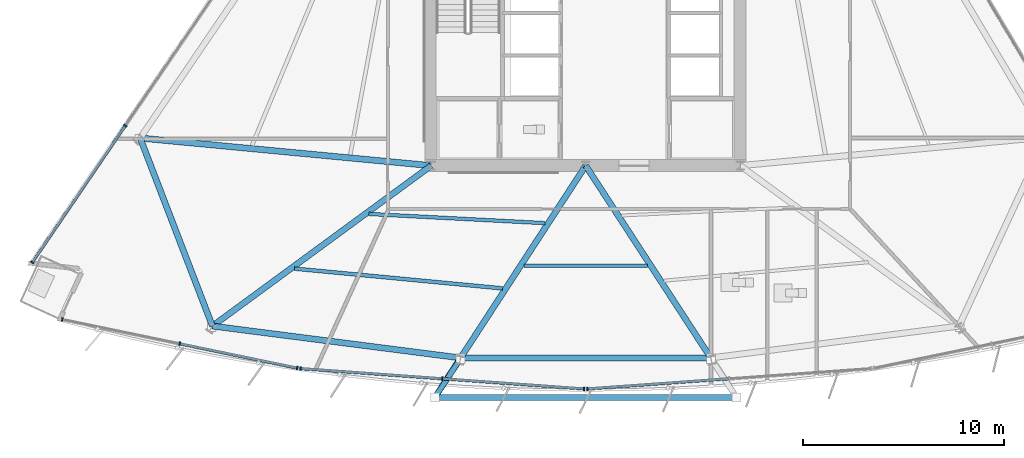
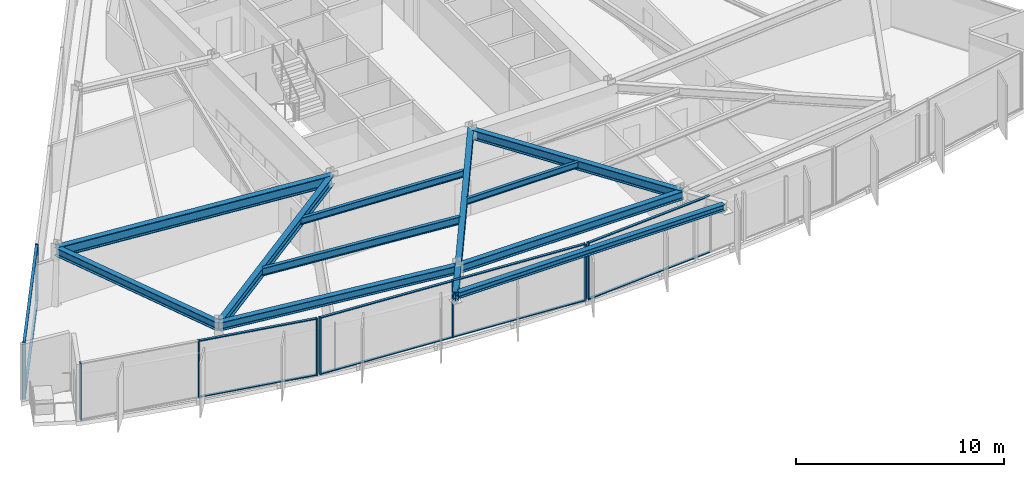
# One storey, part 2 of 15: 20 members, 12 beams, 4 elements without a shape of their own.
"""IFC4 building model written with IfcOpenShell, lengths in metres."""

from ifc_helpers import new_model, si_unit, direction, frame, origin, origin_2d, place, context, subcontext, project, spatial, rectangle, hollow_circle, i_section, extrude, material, material_profile, profile_set, type_object, element, aggregate, save


model = new_model("IFC4")

# Units and contexts
model_context = context("Model", 3, precision=1e-05, world=origin(), true_north=direction((0.0, 1.0)))
body_context = subcontext(model_context, "Body", "Model", "MODEL_VIEW")
ifc_project = project(units=[si_unit("LENGTHUNIT", "METRE"), si_unit("AREAUNIT", "SQUARE_METRE"), si_unit("VOLUMEUNIT", "CUBIC_METRE"), si_unit("PLANEANGLEUNIT", "RADIAN"), si_unit("MASSUNIT", "GRAM", prefix="KILO")], contexts=[model_context])

# Site, building, storey
site_placement = place(None, origin())
site = spatial("IfcSite", under=ifc_project, at=site_placement, CompositionType="ELEMENT")
building_placement = place(site_placement, origin())
building = spatial("IfcBuilding", under=site, at=building_placement, Name="Savorim Split Tower", CompositionType="ELEMENT")
storey_placement = place(building_placement, frame((0.0, 0.0, 111.300048828125)))
storey = spatial("IfcBuildingStorey", under=building, at=storey_placement, Name="L29", CompositionType="ELEMENT", Elevation=111.300048828125)

# Beams
ifc_material_1 = material(Name="Steel S355", Category="steel")
ifc_material_profile_1 = material_profile(ifc_material_1, i_section(OverallWidth=0.169921875, OverallDepth=0.360107421875, WebThickness=0.008056640625, FlangeThickness=0.0126953125, FilletRadius=0.01806640625, at=origin_2d()), Name="IPE 360")
ifc_profile_set_1 = profile_set([ifc_material_profile_1], Name="Steel S355")
beam_type_1 = type_object("IfcBeamType", Name="BM-JST-IPE360", PredefinedType="JOIST", material=ifc_profile_set_1)
beam_1_placement = place(storey_placement, frame((-3.081787109375, -14.382568359375, 3.169921875), z_axis=(1.0, 0.0, 0.0), x_axis=(0.0, 1.0, 0.0)))
element("IfcBeam", 1, at=beam_1_placement, inside=storey, type_object=beam_type_1, Name="L29 Secondary Floor Joist JS-03", PredefinedType="JOIST", context=body_context, shape_type="SweptSolid", body=[
    extrude(i_section(OverallWidth=0.169921875, OverallDepth=0.360107421875, WebThickness=0.008056640625, FlangeThickness=0.0126953125, FilletRadius=0.01806640625, at=origin_2d()), origin(), (0.0, 0.0, 1.0), 6.16357421875),
])
ifc_material_profile_2 = material_profile(ifc_material_1, i_section(OverallWidth=0.179931640625, OverallDepth=0.39990234375, WebThickness=0.008544921875, FlangeThickness=0.013427734375, FilletRadius=0.02099609375, at=origin_2d()), Name="IPE 400")
ifc_profile_set_2 = profile_set([ifc_material_profile_2], Name="Steel S355")
beam_type_2 = type_object("IfcBeamType", Name="BM-JST-IPE400", PredefinedType="JOIST", material=ifc_profile_set_2)
beam_2_placement = place(storey_placement, frame((-10.810546875, -11.806640625, 3.14990234375), z_axis=(0.998633661477, -0.052257154203, 0.0), x_axis=(0.052257154203, 0.998633661477, 0.0)))
element("IfcBeam", 2, at=beam_2_placement, inside=storey, type_object=beam_type_2, Name="L29 Secondary Floor Joist JS-02", PredefinedType="JOIST", context=body_context, shape_type="SweptSolid", body=[
    extrude(i_section(OverallWidth=0.179931640625, OverallDepth=0.39990234375, WebThickness=0.008544921875, FlangeThickness=0.013427734375, FilletRadius=0.02099609375, at=origin_2d()), origin(), (0.0, 0.0, 1.0), 8.79248046875),
])
ifc_material_profile_3 = material_profile(ifc_material_1, i_section(OverallWidth=0.18994140625, OverallDepth=0.449951171875, WebThickness=0.009521484375, FlangeThickness=0.0146484375, FilletRadius=0.02099609375, at=origin_2d()), Name="IPE 450")
ifc_profile_set_3 = profile_set([ifc_material_profile_3], Name="Steel S355")
beam_type_3 = type_object("IfcBeamType", Name="BM-JST-IPE450", PredefinedType="JOIST", material=ifc_profile_set_3)
beam_3_placement = place(storey_placement, frame((-14.517333984375, -14.53125, 3.125), z_axis=(0.995509999834, -0.094656432592, 0.0), x_axis=(0.094656432592, 0.995509999834, 0.0)))
element("IfcBeam", 3, at=beam_3_placement, inside=storey, type_object=beam_type_3, Name="L29 Secondary Floor Joist JS-01", PredefinedType="JOIST", context=body_context, shape_type="SweptSolid", body=[
    extrude(i_section(OverallWidth=0.18994140625, OverallDepth=0.449951171875, WebThickness=0.009521484375, FlangeThickness=0.0146484375, FilletRadius=0.02099609375, at=origin_2d()), origin(), (0.0, 0.0, 1.0), 10.4150390625),
])
ifc_material_profile_4 = material_profile(ifc_material_1, i_section(OverallWidth=0.300048828125, OverallDepth=0.550048828125, WebThickness=0.014892578125, FlangeThickness=0.029052734375, FilletRadius=0.027099609375, at=origin_2d()), Name="HEB 550")
ifc_profile_set_4 = profile_set([ifc_material_profile_4], Name="Steel S355")
beam_type_4 = type_object("IfcBeamType", Name="BM-PRI-HEB550", PredefinedType="BEAM", material=ifc_profile_set_4)
beam_4_placement = place(storey_placement, frame((-18.60107421875, -17.393798828125, 3.074951171875), z_axis=(0.806414182543, 0.591351136123, 0.0), x_axis=(-0.591351136123, 0.806414182543, 0.0)))
element("IfcBeam", 4, at=beam_4_placement, inside=storey, type_object=beam_type_4, Name="L29 Primary Floor Girder RG-01", PredefinedType="BEAM", context=body_context, shape_type="SweptSolid", body=[
    extrude(i_section(OverallWidth=0.300048828125, OverallDepth=0.550048828125, WebThickness=0.014892578125, FlangeThickness=0.029052734375, FilletRadius=0.027099609375, at=origin_2d()), origin(), (0.0, 0.0, 1.0), 13.51806640625),
])
for number, where, z_axis, x_axis, name in (
    (5, (-6.234130859375, -18.981689453125, 3.074951171875), (0.545355386485, 0.838204928661, 0.0), (-0.838204928661, 0.545355386485, 0.0), "L29 Primary Floor Girder RG-02"),
    (6, (6.234130859375, -18.981689453125, 3.074951171875), (-0.545355386485, 0.838204928661, 0.0), (-0.838204928661, -0.545355386485, 0.0), "L29 Primary Floor Girder RG-03"),
):
    element("IfcBeam", number, at=place(storey_placement, frame(where, z_axis=z_axis, x_axis=x_axis)), inside=storey, type_object=beam_type_4, Name=name, PredefinedType="BEAM", context=body_context, shape_type="SweptSolid", body=[
        extrude(i_section(OverallWidth=0.300048828125, OverallDepth=0.550048828125, WebThickness=0.014892578125, FlangeThickness=0.029052734375, FilletRadius=0.027099609375, at=origin_2d()), origin(), (0.0, 0.0, 1.0), 11.431396484375),
    ])
beam_5_placement = place(storey_placement, frame((-6.234130859375, -18.981689453125, 3.074951171875), z_axis=(-0.545411866461, -0.838168178782, 0.0), x_axis=(0.838168178782, -0.545411866461, 0.0)))
element("IfcBeam", 7, at=beam_5_placement, inside=storey, type_object=beam_type_4, Name="L29 Cantilevered Lounge Rib 1", PredefinedType="BEAM", context=body_context, shape_type="SweptSolid", body=[
    extrude(i_section(OverallWidth=0.300048828125, OverallDepth=0.550048828125, WebThickness=0.014892578125, FlangeThickness=0.029052734375, FilletRadius=0.027099609375, at=origin_2d()), origin(), (0.0, 0.0, 1.0), 2.35009765625),
])
ifc_material_2 = material(Name="Steel S460", Category="steel")
ifc_material_profile_5 = material_profile(ifc_material_2, i_section(OverallWidth=0.304931640625, OverallDepth=0.6201171875, WebThickness=0.02099609375, FlangeThickness=0.0400390625, FilletRadius=0.027099609375, at=origin_2d()), Name="HE 600 M")
ifc_profile_set_5 = profile_set([ifc_material_profile_5], Name="Steel S460")
beam_type_5 = type_object("IfcBeamType", Name="BM-PRI-HEM600", PredefinedType="BEAM", material=ifc_profile_set_5)
beam_6_placement = place(storey_placement, frame((-22.202392578125, -8.025146484375, 3.0400390625), z_axis=(0.995537030015, -0.09437172176, 0.0), x_axis=(0.09437172176, 0.995537030015, 0.0)))
element("IfcBeam", 8, at=beam_6_placement, inside=storey, type_object=beam_type_5, Name="L29 Primary Floor Girder RG-10", PredefinedType="BEAM", context=body_context, shape_type="SweptSolid", body=[
    extrude(i_section(OverallWidth=0.304931640625, OverallDepth=0.6201171875, WebThickness=0.02099609375, FlangeThickness=0.0400390625, FilletRadius=0.027099609375, at=origin_2d()), origin(), (0.0, 0.0, 1.0), 14.5673828125),
])
ifc_material_profile_6 = material_profile(ifc_material_1, i_section(OverallWidth=0.300048828125, OverallDepth=0.35009765625, WebThickness=0.010009765625, FlangeThickness=0.017578125, FilletRadius=0.027099609375, at=origin_2d()), Name="HEA 360")
ifc_profile_set_6 = profile_set([ifc_material_profile_6], Name="Steel S355")
beam_type_6 = type_object("IfcBeamType", Name="BM-SPN-HEA360", PredefinedType="SPANDREL", material=ifc_profile_set_6)
beam_7_placement = place(storey_placement, frame((-7.355712890625, -20.951416015625, 3.175048828125), z_axis=(1.0, 0.0, 0.0), x_axis=(0.0, 1.0, 0.0)))
element("IfcBeam", 9, at=beam_7_placement, inside=storey, type_object=beam_type_6, Name="L29 Cantilevered Lounge Front Edge Beam", PredefinedType="SPANDREL", context=body_context, shape_type="SweptSolid", body=[
    extrude(i_section(OverallWidth=0.300048828125, OverallDepth=0.35009765625, WebThickness=0.010009765625, FlangeThickness=0.017578125, FilletRadius=0.027099609375, at=origin_2d()), origin(), (0.0, 0.0, 1.0), 14.71142578125),
])
ifc_material_profile_7 = material_profile(ifc_material_1, i_section(OverallWidth=0.300048828125, OverallDepth=0.489990234375, WebThickness=0.011962890625, FlangeThickness=0.02294921875, FilletRadius=0.027099609375, at=origin_2d()), Name="HEA 500")
ifc_profile_set_7 = profile_set([ifc_material_profile_7], Name="Steel S355")
beam_type_7 = type_object("IfcBeamType", Name="BM-SPN-HEA500", PredefinedType="SPANDREL", material=ifc_profile_set_7)
beam_8_placement = place(storey_placement, frame((-18.60107421875, -17.393798828125, 3.10498046875), z_axis=(0.991857519325, -0.127352508256, 0.0), x_axis=(0.127352508256, 0.991857519325, 0.0)))
element("IfcBeam", 10, at=beam_8_placement, inside=storey, type_object=beam_type_7, Name="L29 Perimeter Spandrel Beam 1", PredefinedType="SPANDREL", context=body_context, shape_type="SweptSolid", body=[
    extrude(i_section(OverallWidth=0.300048828125, OverallDepth=0.489990234375, WebThickness=0.011962890625, FlangeThickness=0.02294921875, FilletRadius=0.027099609375, at=origin_2d()), origin(), (0.0, 0.0, 1.0), 12.468505859375),
])
beam_9_placement = place(storey_placement, frame((-6.234130859375, -18.981689453125, 3.10498046875), z_axis=(1.0, 0.0, 0.0), x_axis=(0.0, 1.0, 0.0)))
element("IfcBeam", 11, at=beam_9_placement, inside=storey, type_object=beam_type_7, Name="L29 Perimeter Spandrel Beam 2", PredefinedType="SPANDREL", context=body_context, shape_type="SweptSolid", body=[
    extrude(i_section(OverallWidth=0.300048828125, OverallDepth=0.489990234375, WebThickness=0.011962890625, FlangeThickness=0.02294921875, FilletRadius=0.027099609375, at=origin_2d()), origin(), (0.0, 0.0, 1.0), 12.46826171875),
])
beam_10_placement = place(storey_placement, frame((-22.202392578125, -8.025146484375, 3.10498046875), z_axis=(0.358804666801, -0.933412669231, 0.0), x_axis=(0.933412669231, 0.358804666801, 0.0)))
element("IfcBeam", 12, at=beam_10_placement, inside=storey, type_object=beam_type_7, Name="L29 Perimeter Spandrel Beam 10", PredefinedType="SPANDREL", context=body_context, shape_type="SweptSolid", body=[
    extrude(i_section(OverallWidth=0.300048828125, OverallDepth=0.489990234375, WebThickness=0.011962890625, FlangeThickness=0.02294921875, FilletRadius=0.027099609375, at=origin_2d()), origin(), (0.0, 0.0, 1.0), 10.037109375),
])

# Curtain wall, members
ifc_material_3 = material(Name="Dark Ceramic-Fritted Insulated Glass", Category="glass")
curtain_wall_type = type_object("IfcCurtainWallType", Name="CW-TWR-FRIT-A", PredefinedType="NOTDEFINED", material=ifc_material_3)
curtain_wall_1_placement = place(storey_placement, origin())
curtain_wall_1 = element("IfcCurtainWall", 13, at=curtain_wall_1_placement, inside=storey, type_object=curtain_wall_type, Name="L29 Curtain Wall CW-L29-SF1", PredefinedType="NOTDEFINED")
ifc_material_4 = material(Name="Charcoal Anodised Aluminium", Category="aluminium")
ifc_material_profile_8 = material_profile(ifc_material_4, rectangle(XDim=0.179931640625, YDim=0.06494140625, at=origin_2d()), Name="ALU-M 180x65")
ifc_profile_set_8 = profile_set([ifc_material_profile_8], Name="Charcoal Anodised Aluminium")
member_type_1 = type_object("IfcMemberType", Name="CWM-180x65", PredefinedType="MULLION", material=ifc_profile_set_8)
member_1_placement = place(storey_placement, frame((-26.08349609375, -17.05859375, 0.0), z_axis=(0.0, 0.0, 1.0), x_axis=(0.203214049179, 0.979134337165, 0.0)))
member_1 = element("IfcMember", 14, at=member_1_placement, type_object=member_type_1, Name="CW-02 mullion 1", PredefinedType="MULLION", context=body_context, shape_type="SweptSolid", body=[
    extrude(rectangle(XDim=0.179931640625, YDim=0.06494140625, at=origin_2d()), origin(), (0.0, 0.0, 1.0), 3.349853515625),
])
member_2_placement = place(storey_placement, frame((-20.23046875, -18.2734375, 0.0), z_axis=(0.0, 0.0, 1.0), x_axis=(0.203214049179, 0.979134337165, 0.0)))
member_2 = element("IfcMember", 15, at=member_2_placement, type_object=member_type_1, Name="CW-02 mullion 2", PredefinedType="MULLION", context=body_context, shape_type="SweptSolid", body=[
    extrude(rectangle(XDim=0.179931640625, YDim=0.06494140625, at=origin_2d()), origin(), (0.0, 0.0, 1.0), 3.349853515625),
])
member_3_placement = place(storey_placement, frame((-14.377197265625, -19.48828125, 0.0), z_axis=(0.0, 0.0, 1.0), x_axis=(0.203214049179, 0.979134337165, 0.0)))
member_3 = element("IfcMember", 16, at=member_3_placement, type_object=member_type_1, Name="CW-02 mullion 3", PredefinedType="MULLION", context=body_context, shape_type="SweptSolid", body=[
    extrude(rectangle(XDim=0.179931640625, YDim=0.06494140625, at=origin_2d()), origin(), (0.0, 0.0, 1.0), 3.349853515625),
])

curtain_wall_2_placement = place(storey_placement, origin())
curtain_wall_2 = element("IfcCurtainWall", 17, at=curtain_wall_2_placement, inside=storey, type_object=curtain_wall_type, Name="L29 Curtain Wall CW-L29-SF2", PredefinedType="NOTDEFINED")
member_4_placement = place(storey_placement, frame((-14.210205078125, -19.511474609375, 0.0), z_axis=(0.0, 0.0, 1.0), x_axis=(0.071557228472, 0.99743649575, 0.0)))
member_4 = element("IfcMember", 18, at=member_4_placement, type_object=member_type_1, Name="CW-02 mullion 1", PredefinedType="MULLION", context=body_context, shape_type="SweptSolid", body=[
    extrude(rectangle(XDim=0.179931640625, YDim=0.06494140625, at=origin_2d()), origin(), (0.0, 0.0, 1.0), 3.349853515625),
])
member_5_placement = place(storey_placement, frame((-7.14697265625, -20.01806640625, 0.0), z_axis=(0.0, 0.0, 1.0), x_axis=(0.071557228472, 0.99743649575, 0.0)))
member_5 = element("IfcMember", 19, at=member_5_placement, type_object=member_type_1, Name="CW-02 mullion 2", PredefinedType="MULLION", context=body_context, shape_type="SweptSolid", body=[
    extrude(rectangle(XDim=0.179931640625, YDim=0.06494140625, at=origin_2d()), origin(), (0.0, 0.0, 1.0), 3.349853515625),
])
member_6_placement = place(storey_placement, frame((-0.083740234375, -20.52490234375, 0.0), z_axis=(0.0, 0.0, 1.0), x_axis=(0.071557228472, 0.99743649575, 0.0)))
member_6 = element("IfcMember", 20, at=member_6_placement, type_object=member_type_1, Name="CW-02 mullion 3", PredefinedType="MULLION", context=body_context, shape_type="SweptSolid", body=[
    extrude(rectangle(XDim=0.179931640625, YDim=0.06494140625, at=origin_2d()), origin(), (0.0, 0.0, 1.0), 3.349853515625),
])

# Curtain wall, member
curtain_wall_3_placement = place(storey_placement, origin())
curtain_wall_3 = element("IfcCurtainWall", 21, at=curtain_wall_3_placement, inside=storey, type_object=curtain_wall_type, Name="L29 Curtain Wall CW-L29-SF3", PredefinedType="NOTDEFINED")
member_7_placement = place(storey_placement, frame((0.083740234375, -20.52490234375, 0.0), z_axis=(0.0, 0.0, 1.0), x_axis=(-0.071557228472, 0.99743649575, 0.0)))
member_7 = element("IfcMember", 22, at=member_7_placement, type_object=member_type_1, Name="CW-02 mullion 1", PredefinedType="MULLION", context=body_context, shape_type="SweptSolid", body=[
    extrude(rectangle(XDim=0.179931640625, YDim=0.06494140625, at=origin_2d()), origin(), (0.0, 0.0, 1.0), 3.349853515625),
])

# Curtain wall, members
curtain_wall_4_placement = place(storey_placement, origin())
curtain_wall_4 = element("IfcCurtainWall", 23, at=curtain_wall_4_placement, inside=storey, type_object=curtain_wall_type, Name="L29 Curtain Wall CW-L29-WEST", PredefinedType="NOTDEFINED")
member_8_placement = place(storey_placement, frame((-22.94140625, -7.4091796875, 0.0), z_axis=(0.0, 0.0, 1.0), x_axis=(0.826819959579, -0.562466669628, 0.0)))
member_8 = element("IfcMember", 24, at=member_8_placement, type_object=member_type_1, Name="CW-02 mullion 4", PredefinedType="MULLION", context=body_context, shape_type="SweptSolid", body=[
    extrude(rectangle(XDim=0.179931640625, YDim=0.06494140625, at=origin_2d()), origin(), (0.0, 0.0, 1.0), 3.349853515625),
])
member_9_placement = place(storey_placement, frame((-27.57568359375, -14.221435546875, 0.0), z_axis=(0.0, 0.0, 1.0), x_axis=(0.826819959579, -0.562466669628, 0.0)))
member_9 = element("IfcMember", 25, at=member_9_placement, type_object=member_type_1, Name="CW-02 mullion 5", PredefinedType="MULLION", context=body_context, shape_type="SweptSolid", body=[
    extrude(rectangle(XDim=0.179931640625, YDim=0.06494140625, at=origin_2d()), origin(), (0.0, 0.0, 1.0), 3.349853515625),
])

# Member
ifc_material_profile_9 = material_profile(ifc_material_4, rectangle(XDim=0.139892578125, YDim=0.054931640625, at=origin_2d()), Name="ALU-T 140x55")
ifc_profile_set_9 = profile_set([ifc_material_profile_9], Name="Charcoal Anodised Aluminium")
member_type_2 = type_object("IfcMemberType", Name="CWT-140x55", PredefinedType="USERDEFINED", material=ifc_profile_set_9)
member_10_placement = place(storey_placement, frame((-20.198486328125, -18.280029296875, 0.02734375), z_axis=(0.979131977298, -0.203225419257, 0.0), x_axis=(0.203225419257, 0.979131977298, 0.0)))
member_10 = element("IfcMember", 26, at=member_10_placement, type_object=member_type_2, Name="CW-02 transom 2.1", ObjectType="TRANSOM", PredefinedType="USERDEFINED", context=body_context, shape_type="SweptSolid", body=[
    extrude(rectangle(XDim=0.139892578125, YDim=0.054931640625, at=origin_2d()), origin(), (0.0, 0.0, 1.0), 5.912841796875),
])

member_11_placement = place(storey_placement, frame((-20.198486328125, -18.280029296875, 3.322509765625), z_axis=(0.979131977298, -0.203225419257, 0.0), x_axis=(0.203225419257, 0.979131977298, 0.0)))
member_11 = element("IfcMember", 27, at=member_11_placement, type_object=member_type_2, Name="CW-02 transom 2.2", ObjectType="TRANSOM", PredefinedType="USERDEFINED", context=body_context, shape_type="SweptSolid", body=[
    extrude(rectangle(XDim=0.139892578125, YDim=0.054931640625, at=origin_2d()), origin(), (0.0, 0.0, 1.0), 5.912841796875),
])

aggregate(curtain_wall_1, [member_1, member_2, member_3, member_10, member_11])

member_12_placement = place(storey_placement, frame((-14.177734375, -19.513671875, 0.02734375), z_axis=(0.99743515371, -0.071575932712, 0.0), x_axis=(0.071575932712, 0.99743515371, 0.0)))
member_12 = element("IfcMember", 28, at=member_12_placement, type_object=member_type_2, Name="CW-02 transom 1.1", ObjectType="TRANSOM", PredefinedType="USERDEFINED", context=body_context, shape_type="SweptSolid", body=[
    extrude(rectangle(XDim=0.139892578125, YDim=0.054931640625, at=origin_2d()), origin(), (0.0, 0.0, 1.0), 7.016357421875),
])

member_13_placement = place(storey_placement, frame((-14.177734375, -19.513671875, 3.322509765625), z_axis=(0.99743515371, -0.071575932712, 0.0), x_axis=(0.071575932712, 0.99743515371, 0.0)))
member_13 = element("IfcMember", 29, at=member_13_placement, type_object=member_type_2, Name="CW-02 transom 1.2", ObjectType="TRANSOM", PredefinedType="USERDEFINED", context=body_context, shape_type="SweptSolid", body=[
    extrude(rectangle(XDim=0.139892578125, YDim=0.054931640625, at=origin_2d()), origin(), (0.0, 0.0, 1.0), 7.016357421875),
])

member_14_placement = place(storey_placement, frame((-7.114501953125, -20.0205078125, 0.02734375), z_axis=(0.997437637303, -0.071541314575, 0.0), x_axis=(0.071541314575, 0.997437637303, 0.0)))
member_14 = element("IfcMember", 30, at=member_14_placement, type_object=member_type_2, Name="CW-02 transom 2.1", ObjectType="TRANSOM", PredefinedType="USERDEFINED", context=body_context, shape_type="SweptSolid", body=[
    extrude(rectangle(XDim=0.139892578125, YDim=0.054931640625, at=origin_2d()), origin(), (0.0, 0.0, 1.0), 7.016357421875),
])

member_15_placement = place(storey_placement, frame((-7.114501953125, -20.0205078125, 3.322509765625), z_axis=(0.997437637303, -0.071541314575, 0.0), x_axis=(0.071541314575, 0.997437637303, 0.0)))
member_15 = element("IfcMember", 31, at=member_15_placement, type_object=member_type_2, Name="CW-02 transom 2.2", ObjectType="TRANSOM", PredefinedType="USERDEFINED", context=body_context, shape_type="SweptSolid", body=[
    extrude(rectangle(XDim=0.139892578125, YDim=0.054931640625, at=origin_2d()), origin(), (0.0, 0.0, 1.0), 7.016357421875),
])

aggregate(curtain_wall_2, [member_4, member_5, member_6, member_12, member_13, member_14, member_15])

member_16_placement = place(storey_placement, frame((0.1162109375, -20.5224609375, 0.02734375), z_axis=(0.997437637303, 0.071541314575, 0.0), x_axis=(-0.071541314575, 0.997437637303, 0.0)))
member_16 = element("IfcMember", 32, at=member_16_placement, type_object=member_type_2, Name="CW-02 transom 1.1", ObjectType="TRANSOM", PredefinedType="USERDEFINED", context=body_context, shape_type="SweptSolid", body=[
    extrude(rectangle(XDim=0.139892578125, YDim=0.054931640625, at=origin_2d()), origin(), (0.0, 0.0, 1.0), 7.016357421875),
])

member_17_placement = place(storey_placement, frame((0.1162109375, -20.5224609375, 3.322509765625), z_axis=(0.997437637303, 0.071541314575, 0.0), x_axis=(-0.071541314575, 0.997437637303, 0.0)))
member_17 = element("IfcMember", 33, at=member_17_placement, type_object=member_type_2, Name="CW-02 transom 1.2", ObjectType="TRANSOM", PredefinedType="USERDEFINED", context=body_context, shape_type="SweptSolid", body=[
    extrude(rectangle(XDim=0.139892578125, YDim=0.054931640625, at=origin_2d()), origin(), (0.0, 0.0, 1.0), 7.016357421875),
])

aggregate(curtain_wall_3, [member_7, member_16, member_17])

member_18_placement = place(storey_placement, frame((-22.959716796875, -7.43603515625, 0.02734375), z_axis=(-0.562478304433, -0.826812044568, 0.0), x_axis=(0.826812044568, -0.562478304433, 0.0)))
member_18 = element("IfcMember", 34, at=member_18_placement, type_object=member_type_2, Name="CW-02 transom 4.1", ObjectType="TRANSOM", PredefinedType="USERDEFINED", context=body_context, shape_type="SweptSolid", body=[
    extrude(rectangle(XDim=0.139892578125, YDim=0.054931640625, at=origin_2d()), origin(), (0.0, 0.0, 1.0), 8.173828125),
])

member_19_placement = place(storey_placement, frame((-22.959716796875, -7.43603515625, 3.322509765625), z_axis=(-0.562478304433, -0.826812044568, 0.0), x_axis=(0.826812044568, -0.562478304433, 0.0)))
member_19 = element("IfcMember", 35, at=member_19_placement, type_object=member_type_2, Name="CW-02 transom 4.2", ObjectType="TRANSOM", PredefinedType="USERDEFINED", context=body_context, shape_type="SweptSolid", body=[
    extrude(rectangle(XDim=0.139892578125, YDim=0.054931640625, at=origin_2d()), origin(), (0.0, 0.0, 1.0), 8.173828125),
])

aggregate(curtain_wall_4, [member_8, member_9, member_18, member_19])

ifc_material_profile_10 = material_profile(ifc_material_1, hollow_circle(Radius=0.136474609375, WallThickness=0.01611328125, at=origin_2d()), Name="CHS 273x16")
ifc_profile_set_10 = profile_set([ifc_material_profile_10], Name="Steel S355")
member_type_3 = type_object("IfcMemberType", Name="MBR-CRN-CHS273", PredefinedType="BRACE", material=ifc_profile_set_10)
member_20_placement = place(storey_placement, frame((-6.2421875, -19.022216796875, 2.449951171875), z_axis=(-0.544037153873, -0.824033273894, 0.158090919163), x_axis=(0.834527828707, -0.550965791238, 0.0)))
element("IfcMember", 36, at=member_20_placement, inside=storey, type_object=member_type_3, Name="L29 Cantilevered Bay Support Strut 1", PredefinedType="BRACE", context=body_context, shape_type="SweptSolid", body=[
    extrude(hollow_circle(Radius=0.136474609375, WallThickness=0.01611328125, at=origin_2d()), origin(), (0.0, 0.0, 1.0), 2.341064453125),
])

save(model, "model.ifc")
